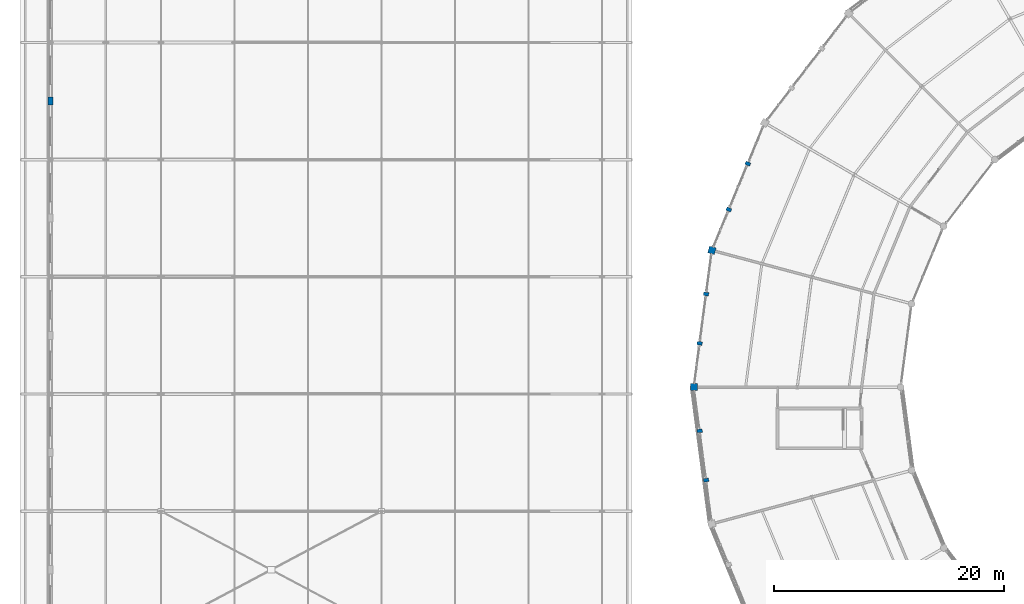
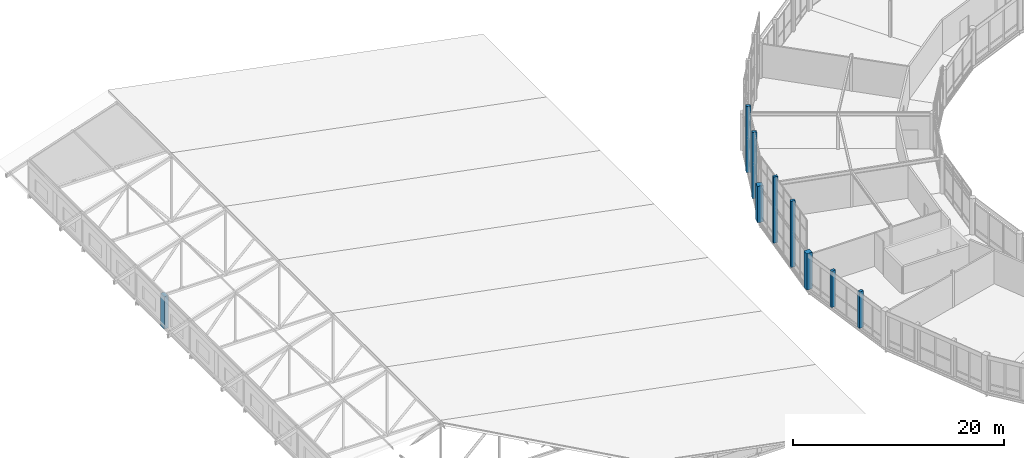
# One storey, part 6 of 200: 9 columns.
"""IFC4 building model written with IfcOpenShell, lengths in metres."""

from ifc_helpers import new_model, si_unit, direction, frame, origin, origin_2d, place, context, subcontext, project, spatial, rectangle, extrude, material, material_profile, profile_set, type_object, element, save


model = new_model("IFC4")

# Units and contexts
model_context = context("Model", 3, precision=1e-05, world=origin(), true_north=direction((0.0, 1.0)))
body_context = subcontext(model_context, "Body", "Model", "MODEL_VIEW")
ifc_project = project(units=[si_unit("LENGTHUNIT", "METRE"), si_unit("AREAUNIT", "SQUARE_METRE"), si_unit("VOLUMEUNIT", "CUBIC_METRE"), si_unit("PLANEANGLEUNIT", "RADIAN"), si_unit("MASSUNIT", "GRAM", prefix="KILO")], contexts=[model_context])

# Site, building, storey
site_placement = place(None, origin())
site = spatial("IfcSite", under=ifc_project, at=site_placement, CompositionType="ELEMENT")
building_placement = place(site_placement, origin())
building = spatial("IfcBuilding", under=site, at=building_placement, Name="Vondelvale Polytechnic", CompositionType="ELEMENT")
storey_placement = place(building_placement, frame((0.0, 0.0, 13.800048828125)))
storey = spatial("IfcBuildingStorey", under=building, at=storey_placement, Name="L03", CompositionType="ELEMENT", Elevation=13.800048828125)

# Columns
ifc_material_1 = material(Name="Glulam GL18 structural Tasmanian oak (fb = 42 MPa)", Category="wood")
ifc_material_profile_1 = material_profile(ifc_material_1, rectangle(XDim=0.300048828125, YDim=0.449951171875, at=origin_2d()), Name="GL-POST-300x450")
ifc_profile_set_1 = profile_set([ifc_material_profile_1], Name="Glulam GL18 structural Tasmanian oak (fb = 42 MPa)")
column_type_1 = type_object("IfcColumnType", Name="COL-GLULAM-300x450", PredefinedType="PILASTER", material=ifc_profile_set_1)
for number, where, z_axis, x_axis, name in (
    (1, (60.6923828125, 91.44970703125, 0.0), (0.0, 0.0, 1.0), (0.382683432365, 0.923879532511, 0.0), "L03 ring outer glulam timber post C10-P1"),
    (2, (59.037841796875, 87.455810546875, 0.0), (0.0, 0.0, 1.0), (0.382683432365, 0.923879532511, 0.0), "L03 ring outer glulam timber post C10-P2"),
    (3, (57.06591796875, 80.095947265625, 0.0), (0.0, 0.0, 1.0), (0.13052619222, 0.991444861374, 0.0), "L03 ring outer glulam timber post C11-P1"),
    (4, (56.501708984375, 75.809814453125, 0.0), (0.0, 0.0, 1.0), (0.13052619222, 0.991444861374, 0.0), "L03 ring outer glulam timber post C11-P2"),
):
    element("IfcColumn", number, at=place(storey_placement, frame(where, z_axis=z_axis, x_axis=x_axis)), inside=storey, type_object=column_type_1, Name=name, PredefinedType="PILASTER", context=body_context, shape_type="SweptSolid", body=[
        extrude(rectangle(XDim=0.300048828125, YDim=0.449951171875, at=origin_2d()), origin(), (0.0, 0.0, 1.0), 7.6513671875),
    ])
for number, where, z_axis, x_axis, name in (
    (5, (56.501708984375, 68.190185546875, 0.0), (0.0, 0.0, 1.0), (-0.13052619222, 0.991444861374, 0.0), "L03 ring outer glulam timber post C12-P1"),
    (6, (57.06591796875, 63.904052734375, 0.0), (0.0, 0.0, 1.0), (-0.13052619222, 0.991444861374, 0.0), "L03 ring outer glulam timber post C12-P2"),
):
    element("IfcColumn", number, at=place(storey_placement, frame(where, z_axis=z_axis, x_axis=x_axis)), inside=storey, type_object=column_type_1, Name=name, PredefinedType="PILASTER", context=body_context, shape_type="SweptSolid", body=[
        extrude(rectangle(XDim=0.300048828125, YDim=0.449951171875, at=origin_2d()), origin(), (0.0, 0.0, 1.0), 4.199951171875),
    ])
ifc_material_2 = material(Name="Concrete N50 (f'c = 50 MPa)", Category="concrete")
ifc_material_profile_2 = material_profile(ifc_material_2, rectangle(XDim=0.60009765625, YDim=0.60009765625, at=origin_2d()), Name="RC-COL-600x600")
ifc_profile_set_2 = profile_set([ifc_material_profile_2], Name="Concrete N50 (f'c = 50 MPa)")
column_type_2 = type_object("IfcColumnType", Name="COL-RC600", PredefinedType="COLUMN", material=ifc_profile_set_2)
for number, where, z_axis, x_axis, name in (
    (7, (57.5673828125, 83.90576171875, 0.0), (0.0, 0.0, 1.0), (-0.965925826289, 0.258819045103, 0.0), "L03 courtyard ring column S11-RO"),
    (8, (56.0, 72.0, 0.0), (0.0, 0.0, 1.0), (1.0, 0.0, 0.0), "L03 courtyard ring column S12-RO"),
):
    element("IfcColumn", number, at=place(storey_placement, frame(where, z_axis=z_axis, x_axis=x_axis)), inside=storey, type_object=column_type_2, Name=name, PredefinedType="COLUMN", context=body_context, shape_type="SweptSolid", body=[
        extrude(rectangle(XDim=0.60009765625, YDim=0.60009765625, at=origin_2d()), origin(), (0.0, 0.0, 1.0), 4.199951171875),
    ])
ifc_material_profile_3 = material_profile(ifc_material_2, rectangle(XDim=0.449951171875, YDim=0.699951171875, at=origin_2d()), Name="RC-PIL-700x450")
ifc_profile_set_3 = profile_set([ifc_material_profile_3], Name="Concrete N50 (f'c = 50 MPa)")
column_type_3 = type_object("IfcColumnType", Name="PIL-RC700x450", PredefinedType="PILASTER", material=ifc_profile_set_3)
column_placement = place(storey_placement, frame((0.0, 96.89990234375, 0.0), z_axis=(0.0, 0.0, 1.0), x_axis=(1.0, 0.0, 0.0)))
element("IfcColumn", 9, at=column_placement, inside=storey, type_object=column_type_3, Name="L03 West workshop brick pilaster 5", PredefinedType="PILASTER", context=body_context, shape_type="SweptSolid", body=[
    extrude(rectangle(XDim=0.449951171875, YDim=0.699951171875, at=origin_2d()), origin(), (0.0, 0.0, 1.0), 3.75),
])

save(model, "model.ifc")
